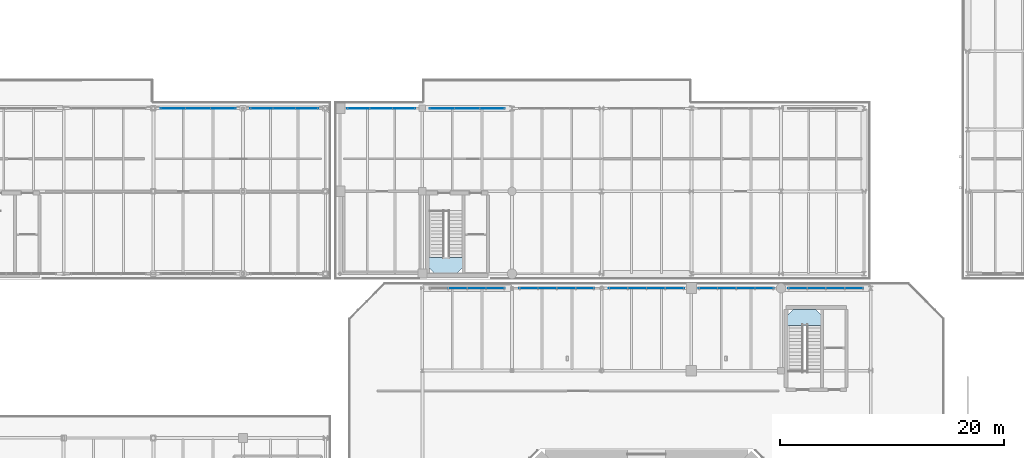
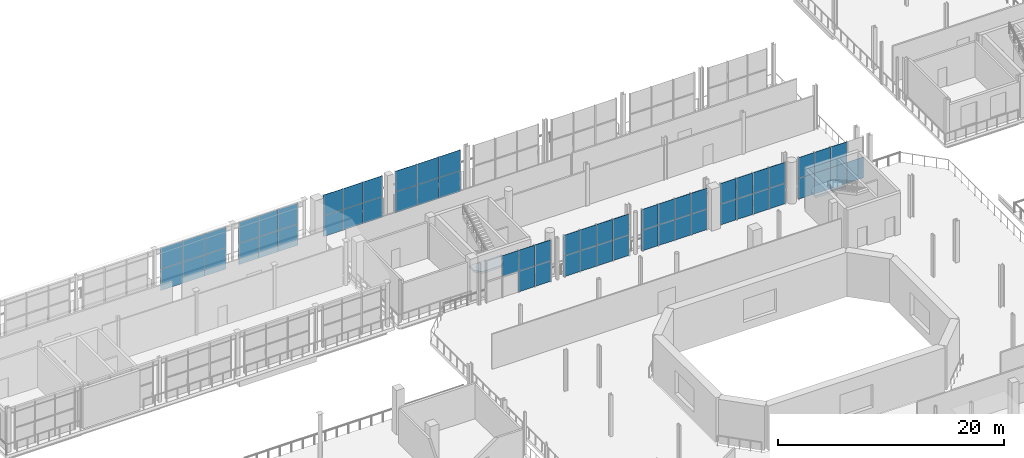
# One storey, part 64 of 93: 60 plates, 2 slabs, 11 elements without a shape of their own.
"""IFC4 building model written with IfcOpenShell, lengths in metres."""

from ifc_helpers import new_model, si_unit, direction, frame, origin, origin_2d, place, context, subcontext, project, spatial, polyline, rectangle, outline, extrude, material, layer, layer_set, type_object, element, aggregate, save


model = new_model("IFC4")

# Units and contexts
model_context = context("Model", 3, precision=1e-05, world=origin(), true_north=direction((0.0, 1.0)))
body_context = subcontext(model_context, "Body", "Model", "MODEL_VIEW")
ifc_project = project(units=[si_unit("LENGTHUNIT", "METRE"), si_unit("AREAUNIT", "SQUARE_METRE"), si_unit("VOLUMEUNIT", "CUBIC_METRE"), si_unit("PLANEANGLEUNIT", "RADIAN"), si_unit("MASSUNIT", "GRAM", prefix="KILO")], contexts=[model_context])

# Site, building, storey
site_placement = place(None, origin())
site = spatial("IfcSite", under=ifc_project, at=site_placement, CompositionType="ELEMENT")
building_placement = place(site_placement, origin())
building = spatial("IfcBuilding", under=site, at=building_placement, Name="Brisemont Oceanarium", CompositionType="ELEMENT")
storey_placement = place(building_placement, frame((0.0, 0.0, 5.39990234375)))
storey = spatial("IfcBuildingStorey", under=building, at=storey_placement, Name="L01", CompositionType="ELEMENT", Elevation=5.39990234375)

# Curtain wall, plates
ifc_material_1 = material(Name="Anodized Extruded Aluminum 6063-T6", Category="aluminium")
curtain_wall_type_1 = type_object("IfcCurtainWallType", Name="CW-CLR-58X36", PredefinedType="NOTDEFINED", material=ifc_material_1)
curtain_wall_1_placement = place(storey_placement, origin())
curtain_wall_1 = element("IfcCurtainWall", 1, at=curtain_wall_1_placement, inside=storey, type_object=curtain_wall_type_1, Name="CW-21 curtain wall CW-V7W-N-L01-04", PredefinedType="NOTDEFINED")
ifc_material_2 = material(Name="Ceramic-Fritted Spandrel Glass", Category="glass")
ifc_layer_1 = layer(ifc_material_2, 0.030029296875)
ifc_layer_set_1 = layer_set([ifc_layer_1], Name="Ceramic-Fritted Spandrel Glass")
plate_type_1 = type_object("IfcPlateType", Name="PLT-CWP-S3", PredefinedType="CURTAIN_PANEL", material=ifc_layer_set_1)
plate_1_placement = place(storey_placement, frame((41.7666015625, 95.39990234375, 0.00146484375), z_axis=(0.0, 0.0, 1.0), x_axis=(1.0, 0.0, 0.0)))
plate_1 = element("IfcPlate", 2, at=plate_1_placement, type_object=plate_type_1, Name="CW-V7W-N-L01-04 panel 1.1", PredefinedType="CURTAIN_PANEL", context=body_context, shape_type="SweptSolid", body=[
    extrude(rectangle(XDim=2.230224609375, YDim=0.030029296875, at=origin_2d()), origin(), (0.0, 0.0, 1.0), 2.297119140625),
])
plate_2_placement = place(storey_placement, frame((41.7666015625, 95.39990234375, 2.3017578125), z_axis=(0.0, 0.0, 1.0), x_axis=(1.0, 0.0, 0.0)))
plate_2 = element("IfcPlate", 3, at=plate_2_placement, type_object=plate_type_1, Name="CW-V7W-N-L01-04 panel 1.2", PredefinedType="CURTAIN_PANEL", context=body_context, shape_type="SweptSolid", body=[
    extrude(rectangle(XDim=2.230224609375, YDim=0.030029296875, at=origin_2d()), origin(), (0.0, 0.0, 1.0), 2.297119140625),
])
plate_3_placement = place(storey_placement, frame((44.0, 95.39990234375, 0.00146484375), z_axis=(0.0, 0.0, 1.0), x_axis=(1.0, 0.0, 0.0)))
plate_3 = element("IfcPlate", 4, at=plate_3_placement, type_object=plate_type_1, Name="CW-V7W-N-L01-04 panel 2.1", PredefinedType="CURTAIN_PANEL", context=body_context, shape_type="SweptSolid", body=[
    extrude(rectangle(XDim=2.230224609375, YDim=0.030029296875, at=origin_2d()), origin(), (0.0, 0.0, 1.0), 2.297119140625),
])
plate_4_placement = place(storey_placement, frame((44.0, 95.39990234375, 2.3017578125), z_axis=(0.0, 0.0, 1.0), x_axis=(1.0, 0.0, 0.0)))
plate_4 = element("IfcPlate", 5, at=plate_4_placement, type_object=plate_type_1, Name="CW-V7W-N-L01-04 panel 2.2", PredefinedType="CURTAIN_PANEL", context=body_context, shape_type="SweptSolid", body=[
    extrude(rectangle(XDim=2.230224609375, YDim=0.030029296875, at=origin_2d()), origin(), (0.0, 0.0, 1.0), 2.297119140625),
])
plate_5_placement = place(storey_placement, frame((46.2333984375, 95.39990234375, 0.00146484375), z_axis=(0.0, 0.0, 1.0), x_axis=(1.0, 0.0, 0.0)))
plate_5 = element("IfcPlate", 6, at=plate_5_placement, type_object=plate_type_1, Name="CW-V7W-N-L01-04 panel 3.1", PredefinedType="CURTAIN_PANEL", context=body_context, shape_type="SweptSolid", body=[
    extrude(rectangle(XDim=2.230224609375, YDim=0.030029296875, at=origin_2d()), origin(), (0.0, 0.0, 1.0), 2.297119140625),
])
plate_6_placement = place(storey_placement, frame((46.2333984375, 95.39990234375, 2.3017578125), z_axis=(0.0, 0.0, 1.0), x_axis=(1.0, 0.0, 0.0)))
plate_6 = element("IfcPlate", 7, at=plate_6_placement, type_object=plate_type_1, Name="CW-V7W-N-L01-04 panel 3.2", PredefinedType="CURTAIN_PANEL", context=body_context, shape_type="SweptSolid", body=[
    extrude(rectangle(XDim=2.230224609375, YDim=0.030029296875, at=origin_2d()), origin(), (0.0, 0.0, 1.0), 2.297119140625),
])
aggregate(curtain_wall_1, [plate_1, plate_2, plate_3, plate_4, plate_5, plate_6])

curtain_wall_2_placement = place(storey_placement, origin())
curtain_wall_2 = element("IfcCurtainWall", 8, at=curtain_wall_2_placement, inside=storey, type_object=curtain_wall_type_1, Name="CW-21 curtain wall CW-V7W-N-L01-05", PredefinedType="NOTDEFINED")
plate_7_placement = place(storey_placement, frame((49.658203125, 95.39990234375, 0.00146484375), z_axis=(0.0, 0.0, 1.0), x_axis=(1.0, 0.0, 0.0)))
plate_7 = element("IfcPlate", 9, at=plate_7_placement, type_object=plate_type_1, Name="CW-V7W-N-L01-05 panel 1.1", PredefinedType="CURTAIN_PANEL", context=body_context, shape_type="SweptSolid", body=[
    extrude(rectangle(XDim=2.013671875, YDim=0.030029296875, at=origin_2d()), origin(), (0.0, 0.0, 1.0), 2.297119140625),
])
plate_8_placement = place(storey_placement, frame((49.658203125, 95.39990234375, 2.3017578125), z_axis=(0.0, 0.0, 1.0), x_axis=(1.0, 0.0, 0.0)))
plate_8 = element("IfcPlate", 10, at=plate_8_placement, type_object=plate_type_1, Name="CW-V7W-N-L01-05 panel 1.2", PredefinedType="CURTAIN_PANEL", context=body_context, shape_type="SweptSolid", body=[
    extrude(rectangle(XDim=2.013671875, YDim=0.030029296875, at=origin_2d()), origin(), (0.0, 0.0, 1.0), 2.297119140625),
])
plate_9_placement = place(storey_placement, frame((51.675048828125, 95.39990234375, 0.00146484375), z_axis=(0.0, 0.0, 1.0), x_axis=(1.0, 0.0, 0.0)))
plate_9 = element("IfcPlate", 11, at=plate_9_placement, type_object=plate_type_1, Name="CW-V7W-N-L01-05 panel 2.1", PredefinedType="CURTAIN_PANEL", context=body_context, shape_type="SweptSolid", body=[
    extrude(rectangle(XDim=2.013671875, YDim=0.030029296875, at=origin_2d()), origin(), (0.0, 0.0, 1.0), 2.297119140625),
])
plate_10_placement = place(storey_placement, frame((51.675048828125, 95.39990234375, 2.3017578125), z_axis=(0.0, 0.0, 1.0), x_axis=(1.0, 0.0, 0.0)))
plate_10 = element("IfcPlate", 12, at=plate_10_placement, type_object=plate_type_1, Name="CW-V7W-N-L01-05 panel 2.2", PredefinedType="CURTAIN_PANEL", context=body_context, shape_type="SweptSolid", body=[
    extrude(rectangle(XDim=2.013671875, YDim=0.030029296875, at=origin_2d()), origin(), (0.0, 0.0, 1.0), 2.297119140625),
])
plate_11_placement = place(storey_placement, frame((53.691650390625, 95.39990234375, 0.00146484375), z_axis=(0.0, 0.0, 1.0), x_axis=(1.0, 0.0, 0.0)))
plate_11 = element("IfcPlate", 13, at=plate_11_placement, type_object=plate_type_1, Name="CW-V7W-N-L01-05 panel 3.1", PredefinedType="CURTAIN_PANEL", context=body_context, shape_type="SweptSolid", body=[
    extrude(rectangle(XDim=2.013671875, YDim=0.030029296875, at=origin_2d()), origin(), (0.0, 0.0, 1.0), 2.297119140625),
])
plate_12_placement = place(storey_placement, frame((53.691650390625, 95.39990234375, 2.3017578125), z_axis=(0.0, 0.0, 1.0), x_axis=(1.0, 0.0, 0.0)))
plate_12 = element("IfcPlate", 14, at=plate_12_placement, type_object=plate_type_1, Name="CW-V7W-N-L01-05 panel 3.2", PredefinedType="CURTAIN_PANEL", context=body_context, shape_type="SweptSolid", body=[
    extrude(rectangle(XDim=2.013671875, YDim=0.030029296875, at=origin_2d()), origin(), (0.0, 0.0, 1.0), 2.297119140625),
])
aggregate(curtain_wall_2, [plate_7, plate_8, plate_9, plate_10, plate_11, plate_12])

ifc_material_3 = material(Name="Anodized Extruded Aluminum 6063-T6", Category="aluminium")
curtain_wall_type_2 = type_object("IfcCurtainWallType", Name="CW-CLR-48X34", PredefinedType="NOTDEFINED", material=ifc_material_3)
curtain_wall_3_placement = place(storey_placement, origin())
curtain_wall_3 = element("IfcCurtainWall", 15, at=curtain_wall_3_placement, inside=storey, type_object=curtain_wall_type_2, Name="CW-22 curtain wall CW-V7E-N-L01-01", PredefinedType="NOTDEFINED")
ifc_material_4 = material(Name="Ceramic-Fritted Spandrel Glass", Category="glass")
ifc_layer_2 = layer(ifc_material_4, 0.030029296875)
ifc_layer_set_2 = layer_set([ifc_layer_2], Name="Ceramic-Fritted Spandrel Glass")
plate_type_2 = type_object("IfcPlateType", Name="PLT-CWP-S4", PredefinedType="CURTAIN_PANEL", material=ifc_layer_set_2)
plate_13_placement = place(storey_placement, frame((58.308349609375, 95.39990234375, 0.00146484375), z_axis=(0.0, 0.0, 1.0), x_axis=(1.0, 0.0, 0.0)))
plate_13 = element("IfcPlate", 16, at=plate_13_placement, type_object=plate_type_2, Name="CW-V7E-N-L01-01 panel 1.1", PredefinedType="CURTAIN_PANEL", context=body_context, shape_type="SweptSolid", body=[
    extrude(rectangle(XDim=2.013671875, YDim=0.030029296875, at=origin_2d()), origin(), (0.0, 0.0, 1.0), 2.2470703125),
])
plate_14_placement = place(storey_placement, frame((58.308349609375, 95.39990234375, 2.25146484375), z_axis=(0.0, 0.0, 1.0), x_axis=(1.0, 0.0, 0.0)))
plate_14 = element("IfcPlate", 17, at=plate_14_placement, type_object=plate_type_2, Name="CW-V7E-N-L01-01 panel 1.2", PredefinedType="CURTAIN_PANEL", context=body_context, shape_type="SweptSolid", body=[
    extrude(rectangle(XDim=2.013671875, YDim=0.030029296875, at=origin_2d()), origin(), (0.0, 0.0, 1.0), 2.2470703125),
])
plate_15_placement = place(storey_placement, frame((60.324951171875, 95.39990234375, 0.00146484375), z_axis=(0.0, 0.0, 1.0), x_axis=(1.0, 0.0, 0.0)))
plate_15 = element("IfcPlate", 18, at=plate_15_placement, type_object=plate_type_2, Name="CW-V7E-N-L01-01 panel 2.1", PredefinedType="CURTAIN_PANEL", context=body_context, shape_type="SweptSolid", body=[
    extrude(rectangle(XDim=2.013671875, YDim=0.030029296875, at=origin_2d()), origin(), (0.0, 0.0, 1.0), 2.2470703125),
])
plate_16_placement = place(storey_placement, frame((60.324951171875, 95.39990234375, 2.25146484375), z_axis=(0.0, 0.0, 1.0), x_axis=(1.0, 0.0, 0.0)))
plate_16 = element("IfcPlate", 19, at=plate_16_placement, type_object=plate_type_2, Name="CW-V7E-N-L01-01 panel 2.2", PredefinedType="CURTAIN_PANEL", context=body_context, shape_type="SweptSolid", body=[
    extrude(rectangle(XDim=2.013671875, YDim=0.030029296875, at=origin_2d()), origin(), (0.0, 0.0, 1.0), 2.2470703125),
])
plate_17_placement = place(storey_placement, frame((62.341796875, 95.39990234375, 0.00146484375), z_axis=(0.0, 0.0, 1.0), x_axis=(1.0, 0.0, 0.0)))
plate_17 = element("IfcPlate", 20, at=plate_17_placement, type_object=plate_type_2, Name="CW-V7E-N-L01-01 panel 3.1", PredefinedType="CURTAIN_PANEL", context=body_context, shape_type="SweptSolid", body=[
    extrude(rectangle(XDim=2.013671875, YDim=0.030029296875, at=origin_2d()), origin(), (0.0, 0.0, 1.0), 2.2470703125),
])
plate_18_placement = place(storey_placement, frame((62.341796875, 95.39990234375, 2.25146484375), z_axis=(0.0, 0.0, 1.0), x_axis=(1.0, 0.0, 0.0)))
plate_18 = element("IfcPlate", 21, at=plate_18_placement, type_object=plate_type_2, Name="CW-V7E-N-L01-01 panel 3.2", PredefinedType="CURTAIN_PANEL", context=body_context, shape_type="SweptSolid", body=[
    extrude(rectangle(XDim=2.013671875, YDim=0.030029296875, at=origin_2d()), origin(), (0.0, 0.0, 1.0), 2.2470703125),
])
aggregate(curtain_wall_3, [plate_13, plate_14, plate_15, plate_16, plate_17, plate_18])

curtain_wall_4_placement = place(storey_placement, origin())
curtain_wall_4 = element("IfcCurtainWall", 22, at=curtain_wall_4_placement, inside=storey, type_object=curtain_wall_type_2, Name="CW-22 curtain wall CW-V7E-N-L01-02", PredefinedType="NOTDEFINED")
plate_19_placement = place(storey_placement, frame((65.7666015625, 95.39990234375, 0.00146484375), z_axis=(0.0, 0.0, 1.0), x_axis=(1.0, 0.0, 0.0)))
plate_19 = element("IfcPlate", 23, at=plate_19_placement, type_object=plate_type_2, Name="CW-V7E-N-L01-02 panel 1.1", PredefinedType="CURTAIN_PANEL", context=body_context, shape_type="SweptSolid", body=[
    extrude(rectangle(XDim=2.230224609375, YDim=0.030029296875, at=origin_2d()), origin(), (0.0, 0.0, 1.0), 2.2470703125),
])
plate_20_placement = place(storey_placement, frame((65.7666015625, 95.39990234375, 2.25146484375), z_axis=(0.0, 0.0, 1.0), x_axis=(1.0, 0.0, 0.0)))
plate_20 = element("IfcPlate", 24, at=plate_20_placement, type_object=plate_type_2, Name="CW-V7E-N-L01-02 panel 1.2", PredefinedType="CURTAIN_PANEL", context=body_context, shape_type="SweptSolid", body=[
    extrude(rectangle(XDim=2.230224609375, YDim=0.030029296875, at=origin_2d()), origin(), (0.0, 0.0, 1.0), 2.2470703125),
])
plate_21_placement = place(storey_placement, frame((68.0, 95.39990234375, 0.00146484375), z_axis=(0.0, 0.0, 1.0), x_axis=(1.0, 0.0, 0.0)))
plate_21 = element("IfcPlate", 25, at=plate_21_placement, type_object=plate_type_2, Name="CW-V7E-N-L01-02 panel 2.1", PredefinedType="CURTAIN_PANEL", context=body_context, shape_type="SweptSolid", body=[
    extrude(rectangle(XDim=2.230224609375, YDim=0.030029296875, at=origin_2d()), origin(), (0.0, 0.0, 1.0), 2.2470703125),
])
plate_22_placement = place(storey_placement, frame((68.0, 95.39990234375, 2.25146484375), z_axis=(0.0, 0.0, 1.0), x_axis=(1.0, 0.0, 0.0)))
plate_22 = element("IfcPlate", 26, at=plate_22_placement, type_object=plate_type_2, Name="CW-V7E-N-L01-02 panel 2.2", PredefinedType="CURTAIN_PANEL", context=body_context, shape_type="SweptSolid", body=[
    extrude(rectangle(XDim=2.230224609375, YDim=0.030029296875, at=origin_2d()), origin(), (0.0, 0.0, 1.0), 2.2470703125),
])
plate_23_placement = place(storey_placement, frame((70.2333984375, 95.39990234375, 0.00146484375), z_axis=(0.0, 0.0, 1.0), x_axis=(1.0, 0.0, 0.0)))
plate_23 = element("IfcPlate", 27, at=plate_23_placement, type_object=plate_type_2, Name="CW-V7E-N-L01-02 panel 3.1", PredefinedType="CURTAIN_PANEL", context=body_context, shape_type="SweptSolid", body=[
    extrude(rectangle(XDim=2.230224609375, YDim=0.030029296875, at=origin_2d()), origin(), (0.0, 0.0, 1.0), 2.2470703125),
])
plate_24_placement = place(storey_placement, frame((70.2333984375, 95.39990234375, 2.25146484375), z_axis=(0.0, 0.0, 1.0), x_axis=(1.0, 0.0, 0.0)))
plate_24 = element("IfcPlate", 28, at=plate_24_placement, type_object=plate_type_2, Name="CW-V7E-N-L01-02 panel 3.2", PredefinedType="CURTAIN_PANEL", context=body_context, shape_type="SweptSolid", body=[
    extrude(rectangle(XDim=2.230224609375, YDim=0.030029296875, at=origin_2d()), origin(), (0.0, 0.0, 1.0), 2.2470703125),
])
aggregate(curtain_wall_4, [plate_19, plate_20, plate_21, plate_22, plate_23, plate_24])

ifc_material_5 = material(Name="Anodized Extruded Aluminum 6063-T6", Category="aluminium")
curtain_wall_type_3 = type_object("IfcCurtainWallType", Name="CW-ROT-69X44", PredefinedType="NOTDEFINED", material=ifc_material_5)
curtain_wall_5_placement = place(storey_placement, origin())
curtain_wall_5 = element("IfcCurtainWall", 29, at=curtain_wall_5_placement, inside=storey, type_object=curtain_wall_type_3, Name="CW-03 curtain wall CW-V1-N-L01-01", PredefinedType="NOTDEFINED")
ifc_material_6 = material(Name="Insulated Low-E Laminated Glass", Category="glass")
ifc_layer_3 = layer(ifc_material_6, 0.028076171875)
ifc_layer_set_3 = layer_set([ifc_layer_3], Name="Insulated Low-E Laminated Glass")
plate_type_3 = type_object("IfcPlateType", Name="PLT-CWP-V3", PredefinedType="CURTAIN_PANEL", material=ifc_layer_set_3)
plate_25_placement = place(storey_placement, frame((67.16259765625, 79.35009765625, 2.25146484375), z_axis=(0.0, 0.0, 1.0), x_axis=(1.0, 0.0, 0.0)))
plate_25 = element("IfcPlate", 30, at=plate_25_placement, type_object=plate_type_3, Name="CW-V1-N-L01-01 panel 2.2", PredefinedType="CURTAIN_PANEL", context=body_context, shape_type="SweptSolid", body=[
    extrude(rectangle(XDim=1.672119140625, YDim=0.028076171875, at=origin_2d()), origin(), (0.0, 0.0, 1.0), 2.2470703125),
])
plate_26_placement = place(storey_placement, frame((68.83740234375, 79.35009765625, 0.00146484375), z_axis=(0.0, 0.0, 1.0), x_axis=(1.0, 0.0, 0.0)))
plate_26 = element("IfcPlate", 31, at=plate_26_placement, type_object=plate_type_3, Name="CW-V1-N-L01-01 panel 3.1", PredefinedType="CURTAIN_PANEL", context=body_context, shape_type="SweptSolid", body=[
    extrude(rectangle(XDim=1.672119140625, YDim=0.028076171875, at=origin_2d()), origin(), (0.0, 0.0, 1.0), 2.2470703125),
])
plate_27_placement = place(storey_placement, frame((68.83740234375, 79.35009765625, 2.25146484375), z_axis=(0.0, 0.0, 1.0), x_axis=(1.0, 0.0, 0.0)))
plate_27 = element("IfcPlate", 32, at=plate_27_placement, type_object=plate_type_3, Name="CW-V1-N-L01-01 panel 3.2", PredefinedType="CURTAIN_PANEL", context=body_context, shape_type="SweptSolid", body=[
    extrude(rectangle(XDim=1.672119140625, YDim=0.028076171875, at=origin_2d()), origin(), (0.0, 0.0, 1.0), 2.2470703125),
])
plate_28_placement = place(storey_placement, frame((70.512451171875, 79.35009765625, 0.00146484375), z_axis=(0.0, 0.0, 1.0), x_axis=(1.0, 0.0, 0.0)))
plate_28 = element("IfcPlate", 33, at=plate_28_placement, type_object=plate_type_3, Name="CW-V1-N-L01-01 panel 4.1", PredefinedType="CURTAIN_PANEL", context=body_context, shape_type="SweptSolid", body=[
    extrude(rectangle(XDim=1.672119140625, YDim=0.028076171875, at=origin_2d()), origin(), (0.0, 0.0, 1.0), 2.2470703125),
])
plate_29_placement = place(storey_placement, frame((70.512451171875, 79.35009765625, 2.25146484375), z_axis=(0.0, 0.0, 1.0), x_axis=(1.0, 0.0, 0.0)))
plate_29 = element("IfcPlate", 34, at=plate_29_placement, type_object=plate_type_3, Name="CW-V1-N-L01-01 panel 4.2", PredefinedType="CURTAIN_PANEL", context=body_context, shape_type="SweptSolid", body=[
    extrude(rectangle(XDim=1.672119140625, YDim=0.028076171875, at=origin_2d()), origin(), (0.0, 0.0, 1.0), 2.2470703125),
])
aggregate(curtain_wall_5, [plate_25, plate_26, plate_27, plate_28, plate_29])

curtain_wall_6_placement = place(storey_placement, origin())
curtain_wall_6 = element("IfcCurtainWall", 35, at=curtain_wall_6_placement, inside=storey, type_object=curtain_wall_type_3, Name="CW-03 curtain wall CW-V1-N-L01-02", PredefinedType="NOTDEFINED")
plate_30_placement = place(storey_placement, frame((73.487548828125, 79.35009765625, 0.00146484375), z_axis=(0.0, 0.0, 1.0), x_axis=(1.0, 0.0, 0.0)))
plate_30 = element("IfcPlate", 36, at=plate_30_placement, type_object=plate_type_3, Name="CW-V1-N-L01-02 panel 1.1", PredefinedType="CURTAIN_PANEL", context=body_context, shape_type="SweptSolid", body=[
    extrude(rectangle(XDim=1.672119140625, YDim=0.028076171875, at=origin_2d()), origin(), (0.0, 0.0, 1.0), 2.2470703125),
])
plate_31_placement = place(storey_placement, frame((73.487548828125, 79.35009765625, 2.25146484375), z_axis=(0.0, 0.0, 1.0), x_axis=(1.0, 0.0, 0.0)))
plate_31 = element("IfcPlate", 37, at=plate_31_placement, type_object=plate_type_3, Name="CW-V1-N-L01-02 panel 1.2", PredefinedType="CURTAIN_PANEL", context=body_context, shape_type="SweptSolid", body=[
    extrude(rectangle(XDim=1.672119140625, YDim=0.028076171875, at=origin_2d()), origin(), (0.0, 0.0, 1.0), 2.2470703125),
])
plate_32_placement = place(storey_placement, frame((75.16259765625, 79.35009765625, 0.00146484375), z_axis=(0.0, 0.0, 1.0), x_axis=(1.0, 0.0, 0.0)))
plate_32 = element("IfcPlate", 38, at=plate_32_placement, type_object=plate_type_3, Name="CW-V1-N-L01-02 panel 2.1", PredefinedType="CURTAIN_PANEL", context=body_context, shape_type="SweptSolid", body=[
    extrude(rectangle(XDim=1.672119140625, YDim=0.028076171875, at=origin_2d()), origin(), (0.0, 0.0, 1.0), 2.2470703125),
])
plate_33_placement = place(storey_placement, frame((75.16259765625, 79.35009765625, 2.25146484375), z_axis=(0.0, 0.0, 1.0), x_axis=(1.0, 0.0, 0.0)))
plate_33 = element("IfcPlate", 39, at=plate_33_placement, type_object=plate_type_3, Name="CW-V1-N-L01-02 panel 2.2", PredefinedType="CURTAIN_PANEL", context=body_context, shape_type="SweptSolid", body=[
    extrude(rectangle(XDim=1.672119140625, YDim=0.028076171875, at=origin_2d()), origin(), (0.0, 0.0, 1.0), 2.2470703125),
])
plate_34_placement = place(storey_placement, frame((76.83740234375, 79.35009765625, 0.00146484375), z_axis=(0.0, 0.0, 1.0), x_axis=(1.0, 0.0, 0.0)))
plate_34 = element("IfcPlate", 40, at=plate_34_placement, type_object=plate_type_3, Name="CW-V1-N-L01-02 panel 3.1", PredefinedType="CURTAIN_PANEL", context=body_context, shape_type="SweptSolid", body=[
    extrude(rectangle(XDim=1.672119140625, YDim=0.028076171875, at=origin_2d()), origin(), (0.0, 0.0, 1.0), 2.2470703125),
])
plate_35_placement = place(storey_placement, frame((76.83740234375, 79.35009765625, 2.25146484375), z_axis=(0.0, 0.0, 1.0), x_axis=(1.0, 0.0, 0.0)))
plate_35 = element("IfcPlate", 41, at=plate_35_placement, type_object=plate_type_3, Name="CW-V1-N-L01-02 panel 3.2", PredefinedType="CURTAIN_PANEL", context=body_context, shape_type="SweptSolid", body=[
    extrude(rectangle(XDim=1.672119140625, YDim=0.028076171875, at=origin_2d()), origin(), (0.0, 0.0, 1.0), 2.2470703125),
])
plate_36_placement = place(storey_placement, frame((78.512451171875, 79.35009765625, 0.00146484375), z_axis=(0.0, 0.0, 1.0), x_axis=(1.0, 0.0, 0.0)))
plate_36 = element("IfcPlate", 42, at=plate_36_placement, type_object=plate_type_3, Name="CW-V1-N-L01-02 panel 4.1", PredefinedType="CURTAIN_PANEL", context=body_context, shape_type="SweptSolid", body=[
    extrude(rectangle(XDim=1.672119140625, YDim=0.028076171875, at=origin_2d()), origin(), (0.0, 0.0, 1.0), 2.2470703125),
])
plate_37_placement = place(storey_placement, frame((78.512451171875, 79.35009765625, 2.25146484375), z_axis=(0.0, 0.0, 1.0), x_axis=(1.0, 0.0, 0.0)))
plate_37 = element("IfcPlate", 43, at=plate_37_placement, type_object=plate_type_3, Name="CW-V1-N-L01-02 panel 4.2", PredefinedType="CURTAIN_PANEL", context=body_context, shape_type="SweptSolid", body=[
    extrude(rectangle(XDim=1.672119140625, YDim=0.028076171875, at=origin_2d()), origin(), (0.0, 0.0, 1.0), 2.2470703125),
])
aggregate(curtain_wall_6, [plate_30, plate_31, plate_32, plate_33, plate_34, plate_35, plate_36, plate_37])

curtain_wall_7_placement = place(storey_placement, origin())
curtain_wall_7 = element("IfcCurtainWall", 44, at=curtain_wall_7_placement, inside=storey, type_object=curtain_wall_type_3, Name="CW-03 curtain wall CW-V1-N-L01-03", PredefinedType="NOTDEFINED")
plate_38_placement = place(storey_placement, frame((81.487548828125, 79.35009765625, 0.00146484375), z_axis=(0.0, 0.0, 1.0), x_axis=(1.0, 0.0, 0.0)))
plate_38 = element("IfcPlate", 45, at=plate_38_placement, type_object=plate_type_3, Name="CW-V1-N-L01-03 panel 1.1", PredefinedType="CURTAIN_PANEL", context=body_context, shape_type="SweptSolid", body=[
    extrude(rectangle(XDim=1.672119140625, YDim=0.028076171875, at=origin_2d()), origin(), (0.0, 0.0, 1.0), 2.2470703125),
])
plate_39_placement = place(storey_placement, frame((81.487548828125, 79.35009765625, 2.25146484375), z_axis=(0.0, 0.0, 1.0), x_axis=(1.0, 0.0, 0.0)))
plate_39 = element("IfcPlate", 46, at=plate_39_placement, type_object=plate_type_3, Name="CW-V1-N-L01-03 panel 1.2", PredefinedType="CURTAIN_PANEL", context=body_context, shape_type="SweptSolid", body=[
    extrude(rectangle(XDim=1.672119140625, YDim=0.028076171875, at=origin_2d()), origin(), (0.0, 0.0, 1.0), 2.2470703125),
])
plate_40_placement = place(storey_placement, frame((83.16259765625, 79.35009765625, 0.00146484375), z_axis=(0.0, 0.0, 1.0), x_axis=(1.0, 0.0, 0.0)))
plate_40 = element("IfcPlate", 47, at=plate_40_placement, type_object=plate_type_3, Name="CW-V1-N-L01-03 panel 2.1", PredefinedType="CURTAIN_PANEL", context=body_context, shape_type="SweptSolid", body=[
    extrude(rectangle(XDim=1.672119140625, YDim=0.028076171875, at=origin_2d()), origin(), (0.0, 0.0, 1.0), 2.2470703125),
])
plate_41_placement = place(storey_placement, frame((83.16259765625, 79.35009765625, 2.25146484375), z_axis=(0.0, 0.0, 1.0), x_axis=(1.0, 0.0, 0.0)))
plate_41 = element("IfcPlate", 48, at=plate_41_placement, type_object=plate_type_3, Name="CW-V1-N-L01-03 panel 2.2", PredefinedType="CURTAIN_PANEL", context=body_context, shape_type="SweptSolid", body=[
    extrude(rectangle(XDim=1.672119140625, YDim=0.028076171875, at=origin_2d()), origin(), (0.0, 0.0, 1.0), 2.2470703125),
])
plate_42_placement = place(storey_placement, frame((84.83740234375, 79.35009765625, 0.00146484375), z_axis=(0.0, 0.0, 1.0), x_axis=(1.0, 0.0, 0.0)))
plate_42 = element("IfcPlate", 49, at=plate_42_placement, type_object=plate_type_3, Name="CW-V1-N-L01-03 panel 3.1", PredefinedType="CURTAIN_PANEL", context=body_context, shape_type="SweptSolid", body=[
    extrude(rectangle(XDim=1.672119140625, YDim=0.028076171875, at=origin_2d()), origin(), (0.0, 0.0, 1.0), 2.2470703125),
])
plate_43_placement = place(storey_placement, frame((84.83740234375, 79.35009765625, 2.25146484375), z_axis=(0.0, 0.0, 1.0), x_axis=(1.0, 0.0, 0.0)))
plate_43 = element("IfcPlate", 50, at=plate_43_placement, type_object=plate_type_3, Name="CW-V1-N-L01-03 panel 3.2", PredefinedType="CURTAIN_PANEL", context=body_context, shape_type="SweptSolid", body=[
    extrude(rectangle(XDim=1.672119140625, YDim=0.028076171875, at=origin_2d()), origin(), (0.0, 0.0, 1.0), 2.2470703125),
])
plate_44_placement = place(storey_placement, frame((86.512451171875, 79.35009765625, 0.00146484375), z_axis=(0.0, 0.0, 1.0), x_axis=(1.0, 0.0, 0.0)))
plate_44 = element("IfcPlate", 51, at=plate_44_placement, type_object=plate_type_3, Name="CW-V1-N-L01-03 panel 4.1", PredefinedType="CURTAIN_PANEL", context=body_context, shape_type="SweptSolid", body=[
    extrude(rectangle(XDim=1.672119140625, YDim=0.028076171875, at=origin_2d()), origin(), (0.0, 0.0, 1.0), 2.2470703125),
])
plate_45_placement = place(storey_placement, frame((86.512451171875, 79.35009765625, 2.25146484375), z_axis=(0.0, 0.0, 1.0), x_axis=(1.0, 0.0, 0.0)))
plate_45 = element("IfcPlate", 52, at=plate_45_placement, type_object=plate_type_3, Name="CW-V1-N-L01-03 panel 4.2", PredefinedType="CURTAIN_PANEL", context=body_context, shape_type="SweptSolid", body=[
    extrude(rectangle(XDim=1.672119140625, YDim=0.028076171875, at=origin_2d()), origin(), (0.0, 0.0, 1.0), 2.2470703125),
])
aggregate(curtain_wall_7, [plate_38, plate_39, plate_40, plate_41, plate_42, plate_43, plate_44, plate_45])

curtain_wall_8_placement = place(storey_placement, origin())
curtain_wall_8 = element("IfcCurtainWall", 53, at=curtain_wall_8_placement, inside=storey, type_object=curtain_wall_type_3, Name="CW-03 curtain wall CW-V1-N-L01-04", PredefinedType="NOTDEFINED")
plate_46_placement = place(storey_placement, frame((89.487548828125, 79.35009765625, 0.00146484375), z_axis=(0.0, 0.0, 1.0), x_axis=(1.0, 0.0, 0.0)))
plate_46 = element("IfcPlate", 54, at=plate_46_placement, type_object=plate_type_3, Name="CW-V1-N-L01-04 panel 1.1", PredefinedType="CURTAIN_PANEL", context=body_context, shape_type="SweptSolid", body=[
    extrude(rectangle(XDim=1.672119140625, YDim=0.028076171875, at=origin_2d()), origin(), (0.0, 0.0, 1.0), 2.2470703125),
])
plate_47_placement = place(storey_placement, frame((89.487548828125, 79.35009765625, 2.25146484375), z_axis=(0.0, 0.0, 1.0), x_axis=(1.0, 0.0, 0.0)))
plate_47 = element("IfcPlate", 55, at=plate_47_placement, type_object=plate_type_3, Name="CW-V1-N-L01-04 panel 1.2", PredefinedType="CURTAIN_PANEL", context=body_context, shape_type="SweptSolid", body=[
    extrude(rectangle(XDim=1.672119140625, YDim=0.028076171875, at=origin_2d()), origin(), (0.0, 0.0, 1.0), 2.2470703125),
])
plate_48_placement = place(storey_placement, frame((91.16259765625, 79.35009765625, 0.00146484375), z_axis=(0.0, 0.0, 1.0), x_axis=(1.0, 0.0, 0.0)))
plate_48 = element("IfcPlate", 56, at=plate_48_placement, type_object=plate_type_3, Name="CW-V1-N-L01-04 panel 2.1", PredefinedType="CURTAIN_PANEL", context=body_context, shape_type="SweptSolid", body=[
    extrude(rectangle(XDim=1.672119140625, YDim=0.028076171875, at=origin_2d()), origin(), (0.0, 0.0, 1.0), 2.2470703125),
])
plate_49_placement = place(storey_placement, frame((91.16259765625, 79.35009765625, 2.25146484375), z_axis=(0.0, 0.0, 1.0), x_axis=(1.0, 0.0, 0.0)))
plate_49 = element("IfcPlate", 57, at=plate_49_placement, type_object=plate_type_3, Name="CW-V1-N-L01-04 panel 2.2", PredefinedType="CURTAIN_PANEL", context=body_context, shape_type="SweptSolid", body=[
    extrude(rectangle(XDim=1.672119140625, YDim=0.028076171875, at=origin_2d()), origin(), (0.0, 0.0, 1.0), 2.2470703125),
])
plate_50_placement = place(storey_placement, frame((92.83740234375, 79.35009765625, 0.00146484375), z_axis=(0.0, 0.0, 1.0), x_axis=(1.0, 0.0, 0.0)))
plate_50 = element("IfcPlate", 58, at=plate_50_placement, type_object=plate_type_3, Name="CW-V1-N-L01-04 panel 3.1", PredefinedType="CURTAIN_PANEL", context=body_context, shape_type="SweptSolid", body=[
    extrude(rectangle(XDim=1.672119140625, YDim=0.028076171875, at=origin_2d()), origin(), (0.0, 0.0, 1.0), 2.2470703125),
])
plate_51_placement = place(storey_placement, frame((92.83740234375, 79.35009765625, 2.25146484375), z_axis=(0.0, 0.0, 1.0), x_axis=(1.0, 0.0, 0.0)))
plate_51 = element("IfcPlate", 59, at=plate_51_placement, type_object=plate_type_3, Name="CW-V1-N-L01-04 panel 3.2", PredefinedType="CURTAIN_PANEL", context=body_context, shape_type="SweptSolid", body=[
    extrude(rectangle(XDim=1.672119140625, YDim=0.028076171875, at=origin_2d()), origin(), (0.0, 0.0, 1.0), 2.2470703125),
])
plate_52_placement = place(storey_placement, frame((94.512451171875, 79.35009765625, 0.00146484375), z_axis=(0.0, 0.0, 1.0), x_axis=(1.0, 0.0, 0.0)))
plate_52 = element("IfcPlate", 60, at=plate_52_placement, type_object=plate_type_3, Name="CW-V1-N-L01-04 panel 4.1", PredefinedType="CURTAIN_PANEL", context=body_context, shape_type="SweptSolid", body=[
    extrude(rectangle(XDim=1.672119140625, YDim=0.028076171875, at=origin_2d()), origin(), (0.0, 0.0, 1.0), 2.2470703125),
])
plate_53_placement = place(storey_placement, frame((94.512451171875, 79.35009765625, 2.25146484375), z_axis=(0.0, 0.0, 1.0), x_axis=(1.0, 0.0, 0.0)))
plate_53 = element("IfcPlate", 61, at=plate_53_placement, type_object=plate_type_3, Name="CW-V1-N-L01-04 panel 4.2", PredefinedType="CURTAIN_PANEL", context=body_context, shape_type="SweptSolid", body=[
    extrude(rectangle(XDim=1.672119140625, YDim=0.028076171875, at=origin_2d()), origin(), (0.0, 0.0, 1.0), 2.2470703125),
])
aggregate(curtain_wall_8, [plate_46, plate_47, plate_48, plate_49, plate_50, plate_51, plate_52, plate_53])

curtain_wall_9_placement = place(storey_placement, origin())
curtain_wall_9 = element("IfcCurtainWall", 62, at=curtain_wall_9_placement, inside=storey, type_object=curtain_wall_type_3, Name="CW-03 curtain wall CW-V1-N-L01-05", PredefinedType="NOTDEFINED")
plate_54_placement = place(storey_placement, frame((97.487548828125, 79.35009765625, 0.00146484375), z_axis=(0.0, 0.0, 1.0), x_axis=(1.0, 0.0, 0.0)))
plate_54 = element("IfcPlate", 63, at=plate_54_placement, type_object=plate_type_3, Name="CW-V1-N-L01-05 panel 1.1", PredefinedType="CURTAIN_PANEL", context=body_context, shape_type="SweptSolid", body=[
    extrude(rectangle(XDim=1.672119140625, YDim=0.028076171875, at=origin_2d()), origin(), (0.0, 0.0, 1.0), 2.2470703125),
])
plate_55_placement = place(storey_placement, frame((97.487548828125, 79.35009765625, 2.25146484375), z_axis=(0.0, 0.0, 1.0), x_axis=(1.0, 0.0, 0.0)))
plate_55 = element("IfcPlate", 64, at=plate_55_placement, type_object=plate_type_3, Name="CW-V1-N-L01-05 panel 1.2", PredefinedType="CURTAIN_PANEL", context=body_context, shape_type="SweptSolid", body=[
    extrude(rectangle(XDim=1.672119140625, YDim=0.028076171875, at=origin_2d()), origin(), (0.0, 0.0, 1.0), 2.2470703125),
])
plate_56_placement = place(storey_placement, frame((99.16259765625, 79.35009765625, 0.00146484375), z_axis=(0.0, 0.0, 1.0), x_axis=(1.0, 0.0, 0.0)))
plate_56 = element("IfcPlate", 65, at=plate_56_placement, type_object=plate_type_3, Name="CW-V1-N-L01-05 panel 2.1", PredefinedType="CURTAIN_PANEL", context=body_context, shape_type="SweptSolid", body=[
    extrude(rectangle(XDim=1.672119140625, YDim=0.028076171875, at=origin_2d()), origin(), (0.0, 0.0, 1.0), 2.2470703125),
])
plate_57_placement = place(storey_placement, frame((99.16259765625, 79.35009765625, 2.25146484375), z_axis=(0.0, 0.0, 1.0), x_axis=(1.0, 0.0, 0.0)))
plate_57 = element("IfcPlate", 66, at=plate_57_placement, type_object=plate_type_3, Name="CW-V1-N-L01-05 panel 2.2", PredefinedType="CURTAIN_PANEL", context=body_context, shape_type="SweptSolid", body=[
    extrude(rectangle(XDim=1.672119140625, YDim=0.028076171875, at=origin_2d()), origin(), (0.0, 0.0, 1.0), 2.2470703125),
])
plate_58_placement = place(storey_placement, frame((100.83740234375, 79.35009765625, 0.00146484375), z_axis=(0.0, 0.0, 1.0), x_axis=(1.0, 0.0, 0.0)))
plate_58 = element("IfcPlate", 67, at=plate_58_placement, type_object=plate_type_3, Name="CW-V1-N-L01-05 panel 3.1", PredefinedType="CURTAIN_PANEL", context=body_context, shape_type="SweptSolid", body=[
    extrude(rectangle(XDim=1.672119140625, YDim=0.028076171875, at=origin_2d()), origin(), (0.0, 0.0, 1.0), 2.2470703125),
])
plate_59_placement = place(storey_placement, frame((100.83740234375, 79.35009765625, 2.25146484375), z_axis=(0.0, 0.0, 1.0), x_axis=(1.0, 0.0, 0.0)))
plate_59 = element("IfcPlate", 68, at=plate_59_placement, type_object=plate_type_3, Name="CW-V1-N-L01-05 panel 3.2", PredefinedType="CURTAIN_PANEL", context=body_context, shape_type="SweptSolid", body=[
    extrude(rectangle(XDim=1.672119140625, YDim=0.028076171875, at=origin_2d()), origin(), (0.0, 0.0, 1.0), 2.2470703125),
])
plate_60_placement = place(storey_placement, frame((102.512451171875, 79.35009765625, 0.00146484375), z_axis=(0.0, 0.0, 1.0), x_axis=(1.0, 0.0, 0.0)))
plate_60 = element("IfcPlate", 69, at=plate_60_placement, type_object=plate_type_3, Name="CW-V1-N-L01-05 panel 4.1", PredefinedType="CURTAIN_PANEL", context=body_context, shape_type="SweptSolid", body=[
    extrude(rectangle(XDim=1.672119140625, YDim=0.028076171875, at=origin_2d()), origin(), (0.0, 0.0, 1.0), 2.2470703125),
])
aggregate(curtain_wall_9, [plate_54, plate_55, plate_56, plate_57, plate_58, plate_59, plate_60])

# Stair, slab
ifc_material_7 = material(Name="Concrete C40/50", Category="concrete")
stair_type_1 = type_object("IfcStairType", Name="STR-CORE-124-48", PredefinedType="HALF_TURN_STAIR", material=ifc_material_7)
stair_1_placement = place(storey_placement, origin())
stair_1 = element("IfcStair", 70, at=stair_1_placement, inside=storey, type_object=stair_type_1, Name="Exit stair ST-02 L01 to L02", PredefinedType="HALF_TURN_STAIR")
ifc_material_8 = material(Name="Concrete C40/50", Category="concrete")
ifc_layer_4 = layer(ifc_material_8, 0.219970703125)
ifc_layer_set_4 = layer_set([ifc_layer_4], Name="Concrete C40/50")
slab_type = type_object("IfcSlabType", Name="SLB-LANDING-220", PredefinedType="LANDING", material=ifc_layer_set_4)
slab_1_placement = place(storey_placement, frame((0.0, 0.0, 2.18017578125)))
slab_1 = element("IfcSlab", 71, at=slab_1_placement, type_object=slab_type, Name="ST-02 L01 half-landing", PredefinedType="LANDING", context=body_context, shape_type="SweptSolid", body=[
    extrude(outline(polyline([(96.570068359375, 76.0400390625), (99.64990234375, 76.0400390625), (99.64990234375, 76.919921875), (99.10009765625, 77.469970703125), (97.1201171875, 77.469970703125), (96.570068359375, 76.919921875), (96.570068359375, 76.0400390625)])), origin(), (0.0, 0.0, 1.0), 0.219970703125),
])
aggregate(stair_1, [slab_1])

ifc_material_9 = material(Name="Concrete C40/50", Category="concrete")
stair_type_2 = type_object("IfcStairType", Name="STR-CORE-120-48", PredefinedType="HALF_TURN_STAIR", material=ifc_material_9)
stair_2_placement = place(storey_placement, origin())
stair_2 = element("IfcStair", 72, at=stair_2_placement, inside=storey, type_object=stair_type_2, Name="Exit stair ST-08 L01 to L02", PredefinedType="HALF_TURN_STAIR")
slab_2_placement = place(storey_placement, frame((0.0, 0.0, 2.18017578125)))
slab_2 = element("IfcSlab", 73, at=slab_2_placement, type_object=slab_type, Name="ST-08 L01 half-landing", PredefinedType="LANDING", context=body_context, shape_type="SweptSolid", body=[
    extrude(outline(polyline([(65.1201171875, 80.679931640625), (67.10009765625, 80.679931640625), (67.64990234375, 81.22998046875), (67.64990234375, 82.110107421875), (64.570068359375, 82.110107421875), (64.570068359375, 81.22998046875), (65.1201171875, 80.679931640625)])), origin(), (0.0, 0.0, 1.0), 0.219970703125),
])
aggregate(stair_2, [slab_2])

save(model, "model.ifc")
